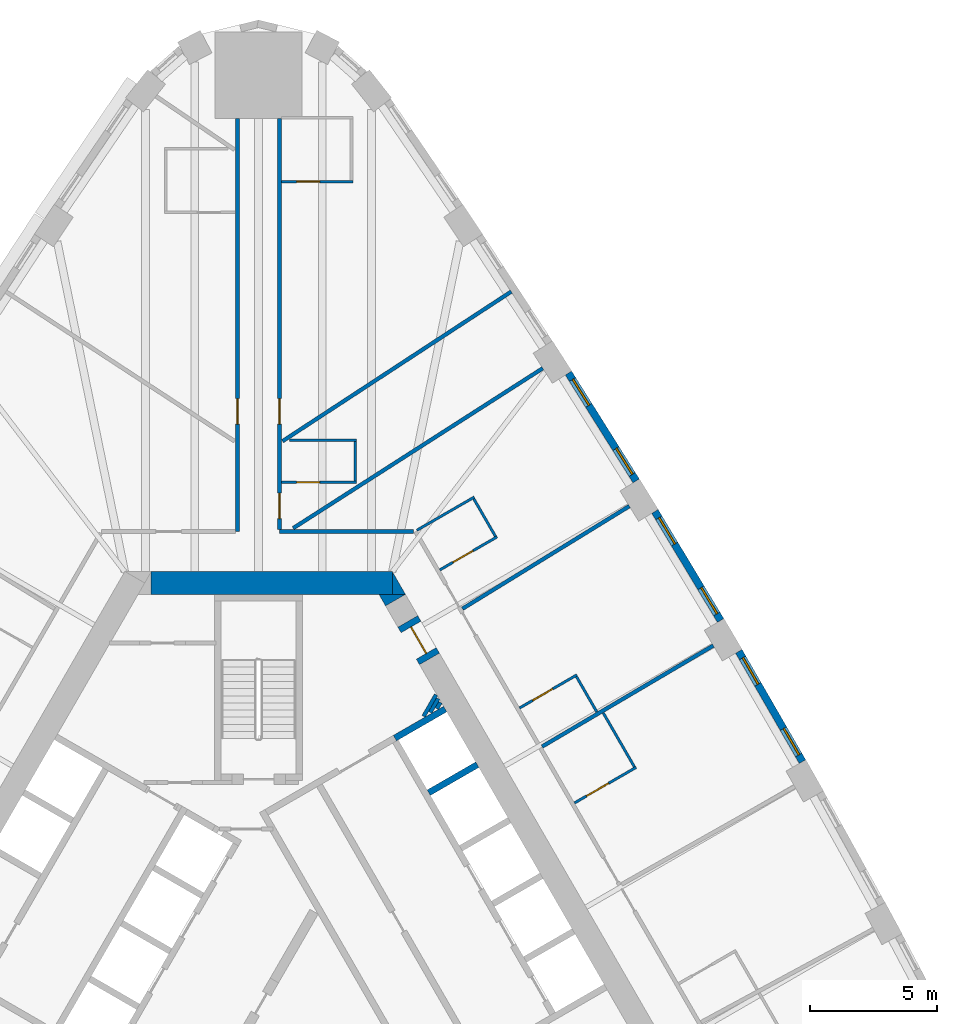
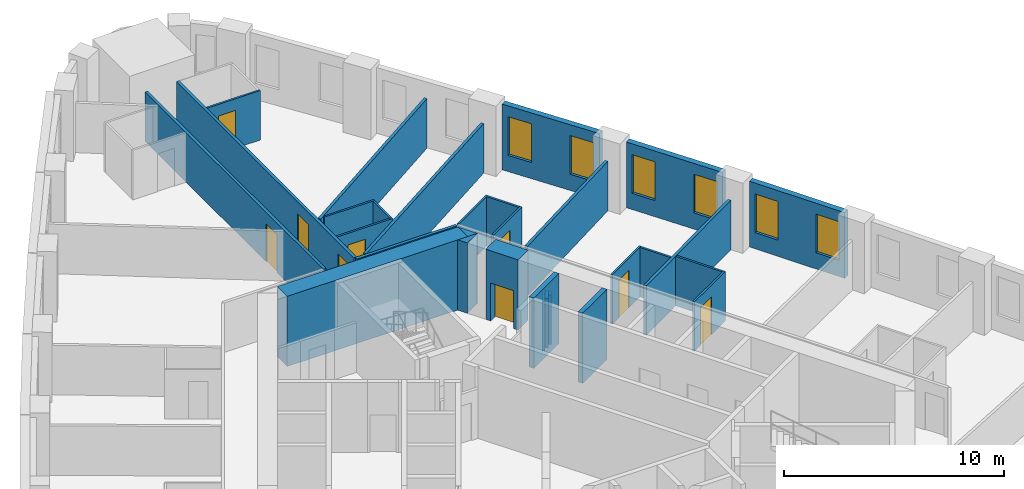
# One storey, part 10 of 12: 30 walls, 9 doors, 6 windows, 15 openings.
"""IFC4 building model written with IfcOpenShell, lengths in metres."""

from ifc_helpers import new_model, si_unit, direction, frame, frame_2d, origin, place, context, subcontext, project, spatial, polyline, rectangle, outline, extrude, material, layer, layer_set, type_object, element, fill, save


model = new_model("IFC4")

# Units and contexts
model_context = context("Model", 3, precision=1e-05, world=origin(), true_north=direction((0.0, 1.0)))
body_context = subcontext(model_context, "Body", "Model", "MODEL_VIEW")
ifc_project = project(units=[si_unit("LENGTHUNIT", "METRE"), si_unit("AREAUNIT", "SQUARE_METRE"), si_unit("VOLUMEUNIT", "CUBIC_METRE"), si_unit("PLANEANGLEUNIT", "RADIAN"), si_unit("MASSUNIT", "GRAM", prefix="KILO")], contexts=[model_context])

# Site, building, storey
site_placement = place(None, origin())
site = spatial("IfcSite", under=ifc_project, at=site_placement, CompositionType="ELEMENT")
building_placement = place(site_placement, origin())
building = spatial("IfcBuilding", under=site, at=building_placement, Name="Mestral Congress Tower", CompositionType="ELEMENT")
storey_placement = place(building_placement, frame((0.0, 0.0, 39.300048828125)))
storey = spatial("IfcBuildingStorey", under=building, at=storey_placement, Name="L08", CompositionType="ELEMENT", Elevation=39.300048828125)

# Walls
ifc_material_1 = material(Name="Fire-rated board partition")
ifc_layer_1 = layer(ifc_material_1, 0.14990234375)
ifc_layer_set_1 = layer_set([ifc_layer_1], Name="Fire-rated board partition")
wall_type_1 = type_object("IfcWallType", Name="Core partition 150", PredefinedType="PARTITIONING", material=ifc_layer_set_1)
wall_1_placement = place(storey_placement, frame((6.481689453125, 11.224609375, 0.0), z_axis=(0.0, 0.0, 1.0), x_axis=(0.5001061818, 0.865964091014, 0.0)))
element("IfcWall", 1, at=wall_1_placement, inside=storey, type_object=wall_type_1, Name="L08 core wall", PredefinedType="PARTITIONING", context=body_context, shape_type="SweptSolid", body=[
    extrude(rectangle(XDim=0.972900390625, YDim=0.14990234375, at=frame_2d((0.486328125, 0.0))), origin(), (0.0, 0.0, 1.0), 2.75),
])
wall_2_placement = place(storey_placement, frame((6.74169921875, 11.374755859375, 0.0), z_axis=(0.0, 0.0, 1.0), x_axis=(0.499744951064, 0.86617260629, 0.0)))
element("IfcWall", 2, at=wall_2_placement, inside=storey, type_object=wall_type_1, Name="L08 core wall", PredefinedType="PARTITIONING", context=body_context, shape_type="SweptSolid", body=[
    extrude(rectangle(XDim=0.626220703125, YDim=0.14990234375, at=frame_2d((0.31298828125, 0.0))), origin(), (0.0, 0.0, 1.0), 2.75),
])
wall_3_placement = place(storey_placement, frame((7.00146484375, 11.524658203125, 0.0), z_axis=(0.0, 0.0, 1.0), x_axis=(0.499797962495, 0.866142018774, 0.0)))
element("IfcWall", 3, at=wall_3_placement, inside=storey, type_object=wall_type_1, Name="L08 core wall", PredefinedType="PARTITIONING", context=body_context, shape_type="SweptSolid", body=[
    extrude(rectangle(XDim=0.27978515625, YDim=0.14990234375, at=frame_2d((0.139892578125, 0.0))), origin(), (0.0, 0.0, 1.0), 2.75),
])
ifc_material_2 = material(Name="Concrete C60/75", Category="concrete")
ifc_layer_2 = layer(ifc_material_2, 0.89990234375)
ifc_layer_set_2 = layer_set([ifc_layer_2], Name="Concrete C60/75")
wall_type_2 = type_object("IfcWallType", Name="Core wall RC 900", PredefinedType="SOLIDWALL", material=ifc_layer_set_2)
wall_4_placement = place(storey_placement, frame((-4.224365234375, 16.449951171875, 0.0), z_axis=(0.0, 0.0, 1.0), x_axis=(1.0, 0.0, 0.0)))
element("IfcWall", 4, at=wall_4_placement, inside=storey, type_object=wall_type_2, Name="L08 core wall", PredefinedType="SOLIDWALL", context=body_context, shape_type="SweptSolid", body=[
    extrude(rectangle(XDim=9.48779296875, YDim=0.89990234375, at=frame_2d((4.743896484375, 0.0))), origin(), (0.0, 0.0, 1.0), 3.89990234375),
])
placement = place(storey_placement, origin())
element("IfcWall", 5, at=placement, inside=storey, type_object=wall_type_2, Name="L08 core wall", PredefinedType="SOLIDWALL", context=body_context, shape_type="SweptSolid", body=[
    extrude(outline(polyline([(5.265380859375, 16.0), (5.265380859375, 16.8798828125), (5.7734375, 16.0), (5.265380859375, 16.0)])), origin(), (0.0, 0.0, 1.0), 3.89990234375),
])
element("IfcWall", 6, at=placement, inside=storey, type_object=wall_type_2, Name="L08 core wall", PredefinedType="SOLIDWALL", context=body_context, shape_type="SweptSolid", body=[
    extrude(outline(polyline([(4.734375, 16.0), (5.75048828125, 16.0), (4.98828125, 15.56005859375), (4.734375, 16.0)])), origin(), (0.0, 0.0, 1.0), 3.89990234375),
])

# Wall, opening, door
wall_7_placement = place(storey_placement, frame((5.86083984375, 14.948486328125, 0.0), z_axis=(0.0, 0.0, 1.0), x_axis=(0.500062241894, -0.865989465428, 0.0)))
wall_7 = element("IfcWall", 7, at=wall_7_placement, inside=storey, type_object=wall_type_2, Name="L08 door wall", PredefinedType="SOLIDWALL", context=body_context, shape_type="SweptSolid", body=[
    extrude(rectangle(XDim=1.699951171875, YDim=0.89990234375, at=frame_2d((0.85009765625, 0.0))), origin(), (0.0, 0.0, 1.0), 3.89990234375),
])
opening_1_placement = place(wall_7_placement, frame((0.25, 0.0, 0.0)))
opening_1 = element("IfcOpeningElement", 8, at=opening_1_placement, cuts=wall_7, Name="Opening XD2", PredefinedType="OPENING", context=body_context, shape_type="SweptSolid", body=[
    extrude(rectangle(XDim=1.199951171875, YDim=2.10009765625, at=frame_2d((0.60009765625, 1.050048828125))), frame((0.0, 0.4599609375, 0.0), z_axis=(0.0, -1.0, 0.0), x_axis=(1.0, 0.0, 0.0)), (0.0, 0.0, 1.0), 0.919921875),
])
ifc_material_3 = material(Name="Fire-rated steel door set", Category="steel")
door_type_1 = type_object("IfcDoorType", Name="Core door XD 1200x2100", OperationType="SINGLE_SWING_LEFT", PredefinedType="DOOR", material=ifc_material_3)
door_1_placement = place(opening_1_placement, origin())
door_1 = element("IfcDoor", 9, at=door_1_placement, inside=storey, type_object=door_type_1, Name="Door XD2", OperationType="SINGLE_SWING_LEFT", OverallHeight=2.10009765625, OverallWidth=1.199951171875, PredefinedType="DOOR", context=body_context, shape_type="SweptSolid", body=[
    extrude(rectangle(XDim=1.199951171875, YDim=2.10009765625, at=frame_2d((0.60009765625, 1.050048828125))), frame((0.0, 0.02490234375, 0.0), z_axis=(0.0, -1.0, 0.0), x_axis=(1.0, 0.0, 0.0)), (0.0, 0.0, 1.0), 0.050048828125),
])
fill(opening_1, door_1)

# Wall, openings, windows
ifc_material_4 = material(Name="Precast concrete C40/50 with limestone facing", Category="masonry")
ifc_layer_3 = layer(ifc_material_4, 0.2900390625)
ifc_layer_set_3 = layer_set([ifc_layer_3], Name="Precast concrete C40/50 with limestone facing")
wall_type_3 = type_object("IfcWallType", Name="Facade stone wall 290", PredefinedType="SOLIDWALL", material=ifc_layer_set_3)
wall_8_placement = place(storey_placement, frame((21.357177734375, 9.44482421875, 0.0), z_axis=(0.0, 0.0, 1.0), x_axis=(-0.50002123722, 0.866013142123, 0.0)))
wall_8 = element("IfcWall", 10, at=wall_8_placement, inside=storey, type_object=wall_type_3, Name="Facade wall F1-04", PredefinedType="SOLIDWALL", context=body_context, shape_type="SweptSolid", body=[
    extrude(rectangle(XDim=4.998291015625, YDim=0.2900390625, at=frame_2d((2.4990234375, 0.0))), origin(), (0.0, 0.0, 1.0), 3.64990234375),
])
opening_2_placement = place(wall_8_placement, frame((0.297119140625, 0.0, 0.89990234375)))
opening_2 = element("IfcOpeningElement", 11, at=opening_2_placement, cuts=wall_8, Name="Opening W1", PredefinedType="OPENING", context=body_context, shape_type="SweptSolid", body=[
    extrude(rectangle(XDim=1.199951171875, YDim=2.14990234375, at=frame_2d((0.60009765625, 1.074951171875))), frame((0.0, 0.155029296875, 0.0), z_axis=(0.0, -1.0, 0.0), x_axis=(1.0, 0.0, 0.0)), (0.0, 0.0, 1.0), 0.31005859375),
])
opening_3_placement = place(wall_8_placement, frame((3.501220703125, 0.0, 0.89990234375)))
opening_3 = element("IfcOpeningElement", 12, at=opening_3_placement, cuts=wall_8, Name="Opening W1", PredefinedType="OPENING", context=body_context, shape_type="SweptSolid", body=[
    extrude(rectangle(XDim=1.199951171875, YDim=2.14990234375, at=frame_2d((0.60009765625, 1.074951171875))), frame((0.0, 0.155029296875, 0.0), z_axis=(0.0, -1.0, 0.0), x_axis=(1.0, 0.0, 0.0)), (0.0, 0.0, 1.0), 0.31005859375),
])
ifc_material_5 = material(Name="Clear low-emissivity double glazing", Category="glass")
window_type = type_object("IfcWindowType", Name="Facade punched window 1200 x 2150 sill 900", PartitioningType="DOUBLE_PANEL_VERTICAL", PredefinedType="WINDOW", material=ifc_material_5)
window_1_placement = place(opening_2_placement, origin())
window_1 = element("IfcWindow", 13, at=window_1_placement, inside=storey, type_object=window_type, Name="Window F1-04a", OverallHeight=2.14990234375, OverallWidth=1.199951171875, PartitioningType="DOUBLE_PANEL_VERTICAL", PredefinedType="WINDOW", context=body_context, shape_type="SweptSolid", body=[
    extrude(rectangle(XDim=1.199951171875, YDim=2.14990234375, at=frame_2d((0.60009765625, 1.074951171875))), frame((0.0, 0.01513671875, 0.0), z_axis=(0.0, -1.0, 0.0), x_axis=(1.0, 0.0, 0.0)), (0.0, 0.0, 1.0), 0.06005859375),
])
fill(opening_2, window_1)
window_2_placement = place(opening_3_placement, origin())
window_2 = element("IfcWindow", 14, at=window_2_placement, inside=storey, type_object=window_type, Name="Window F1-04b", OverallHeight=2.14990234375, OverallWidth=1.199951171875, PartitioningType="DOUBLE_PANEL_VERTICAL", PredefinedType="WINDOW", context=body_context, shape_type="SweptSolid", body=[
    extrude(rectangle(XDim=1.199951171875, YDim=2.14990234375, at=frame_2d((0.60009765625, 1.074951171875))), frame((0.0, 0.01513671875, 0.0), z_axis=(0.0, -1.0, 0.0), x_axis=(1.0, 0.0, 0.0)), (0.0, 0.0, 1.0), 0.06005859375),
])
fill(opening_3, window_2)

wall_9_placement = place(storey_placement, frame((18.143310546875, 14.985595703125, 0.0), z_axis=(0.0, 0.0, 1.0), x_axis=(-0.515938796285, 0.856625448191, 0.0)))
wall_9 = element("IfcWall", 15, at=wall_9_placement, inside=storey, type_object=wall_type_3, Name="Facade wall F1-05", PredefinedType="SOLIDWALL", context=body_context, shape_type="SweptSolid", body=[
    extrude(rectangle(XDim=4.998291015625, YDim=0.2900390625, at=frame_2d((2.4990234375, 0.0))), origin(), (0.0, 0.0, 1.0), 3.64990234375),
])
opening_4_placement = place(wall_9_placement, frame((0.297119140625, 0.0, 0.89990234375)))
opening_4 = element("IfcOpeningElement", 16, at=opening_4_placement, cuts=wall_9, Name="Opening W1", PredefinedType="OPENING", context=body_context, shape_type="SweptSolid", body=[
    extrude(rectangle(XDim=1.199951171875, YDim=2.14990234375, at=frame_2d((0.60009765625, 1.074951171875))), frame((0.0, 0.155029296875, 0.0), z_axis=(0.0, -1.0, 0.0), x_axis=(1.0, 0.0, 0.0)), (0.0, 0.0, 1.0), 0.31005859375),
])
opening_5_placement = place(wall_9_placement, frame((3.501220703125, 0.0, 0.89990234375)))
opening_5 = element("IfcOpeningElement", 17, at=opening_5_placement, cuts=wall_9, Name="Opening W1", PredefinedType="OPENING", context=body_context, shape_type="SweptSolid", body=[
    extrude(rectangle(XDim=1.199951171875, YDim=2.14990234375, at=frame_2d((0.60009765625, 1.074951171875))), frame((0.0, 0.155029296875, 0.0), z_axis=(0.0, -1.0, 0.0), x_axis=(1.0, 0.0, 0.0)), (0.0, 0.0, 1.0), 0.31005859375),
])
window_3_placement = place(opening_4_placement, origin())
window_3 = element("IfcWindow", 18, at=window_3_placement, inside=storey, type_object=window_type, Name="Window F1-05a", OverallHeight=2.14990234375, OverallWidth=1.199951171875, PartitioningType="DOUBLE_PANEL_VERTICAL", PredefinedType="WINDOW", context=body_context, shape_type="SweptSolid", body=[
    extrude(rectangle(XDim=1.199951171875, YDim=2.14990234375, at=frame_2d((0.60009765625, 1.074951171875))), frame((0.0, 0.01513671875, 0.0), z_axis=(0.0, -1.0, 0.0), x_axis=(1.0, 0.0, 0.0)), (0.0, 0.0, 1.0), 0.06005859375),
])
fill(opening_4, window_3)
window_4_placement = place(opening_5_placement, origin())
window_4 = element("IfcWindow", 19, at=window_4_placement, inside=storey, type_object=window_type, Name="Window F1-05b", OverallHeight=2.14990234375, OverallWidth=1.199951171875, PartitioningType="DOUBLE_PANEL_VERTICAL", PredefinedType="WINDOW", context=body_context, shape_type="SweptSolid", body=[
    extrude(rectangle(XDim=1.199951171875, YDim=2.14990234375, at=frame_2d((0.60009765625, 1.074951171875))), frame((0.0, 0.01513671875, 0.0), z_axis=(0.0, -1.0, 0.0), x_axis=(1.0, 0.0, 0.0)), (0.0, 0.0, 1.0), 0.06005859375),
])
fill(opening_5, window_4)

wall_10_placement = place(storey_placement, frame((14.827392578125, 20.466064453125, 0.0), z_axis=(0.0, 0.0, 1.0), x_axis=(-0.531688286542, 0.846940119462, 0.0)))
wall_10 = element("IfcWall", 20, at=wall_10_placement, inside=storey, type_object=wall_type_3, Name="Facade wall F1-06", PredefinedType="SOLIDWALL", context=body_context, shape_type="SweptSolid", body=[
    extrude(rectangle(XDim=4.998291015625, YDim=0.2900390625, at=frame_2d((2.4990234375, 0.0))), origin(), (0.0, 0.0, 1.0), 3.64990234375),
])
opening_6_placement = place(wall_10_placement, frame((0.297119140625, 0.0, 0.89990234375)))
opening_6 = element("IfcOpeningElement", 21, at=opening_6_placement, cuts=wall_10, Name="Opening W1", PredefinedType="OPENING", context=body_context, shape_type="SweptSolid", body=[
    extrude(rectangle(XDim=1.199951171875, YDim=2.14990234375, at=frame_2d((0.60009765625, 1.074951171875))), frame((0.0, 0.155029296875, 0.0), z_axis=(0.0, -1.0, 0.0), x_axis=(1.0, 0.0, 0.0)), (0.0, 0.0, 1.0), 0.31005859375),
])
opening_7_placement = place(wall_10_placement, frame((3.501220703125, 0.0, 0.89990234375)))
opening_7 = element("IfcOpeningElement", 22, at=opening_7_placement, cuts=wall_10, Name="Opening W1", PredefinedType="OPENING", context=body_context, shape_type="SweptSolid", body=[
    extrude(rectangle(XDim=1.199951171875, YDim=2.14990234375, at=frame_2d((0.60009765625, 1.074951171875))), frame((0.0, 0.155029296875, 0.0), z_axis=(0.0, -1.0, 0.0), x_axis=(1.0, 0.0, 0.0)), (0.0, 0.0, 1.0), 0.31005859375),
])
window_5_placement = place(opening_6_placement, origin())
window_5 = element("IfcWindow", 23, at=window_5_placement, inside=storey, type_object=window_type, Name="Window F1-06a", OverallHeight=2.14990234375, OverallWidth=1.199951171875, PartitioningType="DOUBLE_PANEL_VERTICAL", PredefinedType="WINDOW", context=body_context, shape_type="SweptSolid", body=[
    extrude(rectangle(XDim=1.199951171875, YDim=2.14990234375, at=frame_2d((0.60009765625, 1.074951171875))), frame((0.0, 0.01513671875, 0.0), z_axis=(0.0, -1.0, 0.0), x_axis=(1.0, 0.0, 0.0)), (0.0, 0.0, 1.0), 0.06005859375),
])
fill(opening_6, window_5)
window_6_placement = place(opening_7_placement, origin())
window_6 = element("IfcWindow", 24, at=window_6_placement, inside=storey, type_object=window_type, Name="Window F1-06b", OverallHeight=2.14990234375, OverallWidth=1.199951171875, PartitioningType="DOUBLE_PANEL_VERTICAL", PredefinedType="WINDOW", context=body_context, shape_type="SweptSolid", body=[
    extrude(rectangle(XDim=1.199951171875, YDim=2.14990234375, at=frame_2d((0.60009765625, 1.074951171875))), frame((0.0, 0.01513671875, 0.0), z_axis=(0.0, -1.0, 0.0), x_axis=(1.0, 0.0, 0.0)), (0.0, 0.0, 1.0), 0.06005859375),
])
fill(opening_7, window_6)

# Wall, opening, door
ifc_material_6 = material(Name="Gypsum board partition on metal studs with mineral wool", Category="composite")
ifc_layer_4 = layer(ifc_material_6, 0.10009765625)
ifc_layer_set_4 = layer_set([ifc_layer_4], Name="Gypsum board partition on metal studs with mineral wool")
wall_type_4 = type_object("IfcWallType", Name="Hotel partition wall 100", PredefinedType="PARTITIONING", material=ifc_layer_set_4)
wall_11_placement = place(storey_placement, frame((12.402099609375, 7.819091796875, 0.0), z_axis=(0.0, 0.0, 1.0), x_axis=(0.866034573852, 0.49998411664, 0.0)))
wall_11 = element("IfcWall", 25, at=wall_11_placement, inside=storey, type_object=wall_type_4, Name="L08-h-pod14a", PredefinedType="PARTITIONING", context=body_context, shape_type="SweptSolid", body=[
    extrude(rectangle(XDim=2.7998046875, YDim=0.10009765625, at=frame_2d((1.39990234375, 0.0))), origin(), (0.0, 0.0, 1.0), 2.75),
])
opening_8_placement = place(wall_11_placement, frame((0.550048828125, 0.0, 0.0)))
opening_8 = element("IfcOpeningElement", 26, at=opening_8_placement, cuts=wall_11, Name="Opening H02-021", PredefinedType="OPENING", context=body_context, shape_type="SweptSolid", body=[
    extrude(rectangle(XDim=1.0, YDim=2.10009765625, at=frame_2d((0.5, 1.050048828125))), frame((0.0, 0.06005859375, 0.0), z_axis=(0.0, -1.0, 0.0), x_axis=(1.0, 0.0, 0.0)), (0.0, 0.0, 1.0), 0.1201171875),
])
ifc_material_7 = material(Name="Timber veneer door leaf in timber frame", Category="wood")
door_type_2 = type_object("IfcDoorType", Name="Accessible bathroom door 1000", OperationType="SINGLE_SWING_LEFT", PredefinedType="DOOR", material=ifc_material_7)
door_2_placement = place(opening_8_placement, origin())
door_2 = element("IfcDoor", 27, at=door_2_placement, inside=storey, type_object=door_type_2, Name="L08-h-d021", OperationType="SINGLE_SWING_LEFT", OverallHeight=2.10009765625, OverallWidth=1.0, PredefinedType="DOOR", context=body_context, shape_type="SweptSolid", body=[
    extrude(rectangle(XDim=1.0, YDim=2.10009765625, at=frame_2d((0.5, 1.050048828125))), frame((0.0, 0.02490234375, 0.0), z_axis=(0.0, -1.0, 0.0), x_axis=(1.0, 0.0, 0.0)), (0.0, 0.0, 1.0), 0.050048828125),
])
fill(opening_8, door_2)

# Wall
wall_12_placement = place(storey_placement, frame((14.758544921875, 9.2373046875, 0.0), z_axis=(0.0, 0.0, 1.0), x_axis=(-0.499943856944, 0.866057815567, 0.0)))
element("IfcWall", 28, at=wall_12_placement, inside=storey, type_object=wall_type_4, Name="L08-h-pod14b", PredefinedType="PARTITIONING", context=body_context, shape_type="SweptSolid", body=[
    extrude(rectangle(XDim=2.449951171875, YDim=0.10009765625, at=frame_2d((1.22509765625, 0.0))), origin(), (0.0, 0.0, 1.0), 2.75),
])

# Wall, opening, door
wall_13_placement = place(storey_placement, frame((12.500244140625, 12.84912109375, 0.0), z_axis=(0.0, 0.0, 1.0), x_axis=(-0.866021400173, -0.500006934395, 0.0)))
wall_13 = element("IfcWall", 29, at=wall_13_placement, inside=storey, type_object=wall_type_4, Name="L08-h-pod15a", PredefinedType="PARTITIONING", context=body_context, shape_type="SweptSolid", body=[
    extrude(rectangle(XDim=2.60009765625, YDim=0.10009765625, at=frame_2d((1.300048828125, 0.0))), origin(), (0.0, 0.0, 1.0), 2.75),
])
opening_9_placement = place(wall_13_placement, frame((1.10009765625, 0.0, 0.0)))
opening_9 = element("IfcOpeningElement", 30, at=opening_9_placement, cuts=wall_13, Name="Opening H02-023", PredefinedType="OPENING", context=body_context, shape_type="SweptSolid", body=[
    extrude(rectangle(XDim=0.89990234375, YDim=2.10009765625, at=frame_2d((0.449951171875, 1.050048828125))), frame((0.0, 0.06005859375, 0.0), z_axis=(0.0, -1.0, 0.0), x_axis=(1.0, 0.0, 0.0)), (0.0, 0.0, 1.0), 0.1201171875),
])
door_type_3 = type_object("IfcDoorType", Name="Bathroom door 900", OperationType="SINGLE_SWING_LEFT", PredefinedType="DOOR", material=ifc_material_7)
door_3_placement = place(opening_9_placement, origin())
door_3 = element("IfcDoor", 31, at=door_3_placement, inside=storey, type_object=door_type_3, Name="L08-h-d023", OperationType="SINGLE_SWING_RIGHT", OverallHeight=2.10009765625, OverallWidth=0.89990234375, PredefinedType="DOOR", context=body_context, shape_type="SweptSolid", body=[
    extrude(rectangle(XDim=0.89990234375, YDim=2.10009765625, at=frame_2d((0.449951171875, 1.050048828125))), frame((0.0, 0.02490234375, 0.0), z_axis=(0.0, -1.0, 0.0), x_axis=(1.0, 0.0, 0.0)), (0.0, 0.0, 1.0), 0.050048828125),
])
fill(opening_9, door_3)

# Wall
wall_14_placement = place(storey_placement, frame((12.48193359375, 12.78076171875, 0.0), z_axis=(0.0, 0.0, 1.0), x_axis=(0.500061482766, -0.865989903783, 0.0)))
element("IfcWall", 32, at=wall_14_placement, inside=storey, type_object=wall_type_4, Name="L08-h-pod15b", PredefinedType="PARTITIONING", context=body_context, shape_type="SweptSolid", body=[
    extrude(rectangle(XDim=1.599853515625, YDim=0.10009765625, at=frame_2d((0.7998046875, 0.0))), origin(), (0.0, 0.0, 1.0), 2.75),
])

# Wall, opening, door
wall_15_placement = place(storey_placement, frame((7.1181640625, 16.970947265625, 0.0), z_axis=(0.0, 0.0, 1.0), x_axis=(0.866021400173, 0.500006934395, 0.0)))
wall_15 = element("IfcWall", 33, at=wall_15_placement, inside=storey, type_object=wall_type_4, Name="L08-h-pod16a", PredefinedType="PARTITIONING", context=body_context, shape_type="SweptSolid", body=[
    extrude(rectangle(XDim=2.60009765625, YDim=0.10009765625, at=frame_2d((1.300048828125, 0.0))), origin(), (0.0, 0.0, 1.0), 2.75),
])
opening_10_placement = place(wall_15_placement, frame((0.60009765625, 0.0, 0.0)))
opening_10 = element("IfcOpeningElement", 34, at=opening_10_placement, cuts=wall_15, Name="Opening H02-025", PredefinedType="OPENING", context=body_context, shape_type="SweptSolid", body=[
    extrude(rectangle(XDim=0.89990234375, YDim=2.10009765625, at=frame_2d((0.449951171875, 1.050048828125))), frame((0.0, 0.06005859375, 0.0), z_axis=(0.0, -1.0, 0.0), x_axis=(1.0, 0.0, 0.0)), (0.0, 0.0, 1.0), 0.1201171875),
])
door_4_placement = place(opening_10_placement, origin())
door_4 = element("IfcDoor", 35, at=door_4_placement, inside=storey, type_object=door_type_3, Name="L08-h-d025", OperationType="SINGLE_SWING_LEFT", OverallHeight=2.10009765625, OverallWidth=0.89990234375, PredefinedType="DOOR", context=body_context, shape_type="SweptSolid", body=[
    extrude(rectangle(XDim=0.89990234375, YDim=2.10009765625, at=frame_2d((0.449951171875, 1.050048828125))), frame((0.0, 0.02490234375, 0.0), z_axis=(0.0, -1.0, 0.0), x_axis=(1.0, 0.0, 0.0)), (0.0, 0.0, 1.0), 0.050048828125),
])
fill(opening_10, door_4)

# Walls
wall_16_placement = place(storey_placement, frame((9.301513671875, 18.289306640625, 0.0), z_axis=(0.0, 0.0, 1.0), x_axis=(-0.500062241894, 0.865989465428, 0.0)))
element("IfcWall", 36, at=wall_16_placement, inside=storey, type_object=wall_type_4, Name="L08-h-pod16b", PredefinedType="PARTITIONING", context=body_context, shape_type="SweptSolid", body=[
    extrude(rectangle(XDim=1.699951171875, YDim=0.10009765625, at=frame_2d((0.85009765625, 0.0))), origin(), (0.0, 0.0, 1.0), 2.75),
])
wall_17_placement = place(storey_placement, frame((6.21826171875, 18.52978515625, 0.0), z_axis=(0.0, 0.0, 1.0), x_axis=(0.865997922154, 0.500047596559, 0.0)))
element("IfcWall", 37, at=wall_17_placement, inside=storey, type_object=wall_type_4, Name="L08-h-pod16c", PredefinedType="PARTITIONING", context=body_context, shape_type="SweptSolid", body=[
    extrude(rectangle(XDim=2.599853515625, YDim=0.10009765625, at=frame_2d((1.2998046875, 0.0))), origin(), (0.0, 0.0, 1.0), 2.75),
])

# Wall, opening, door
wall_18_placement = place(storey_placement, frame((0.89990234375, 20.41552734375, 0.0), z_axis=(0.0, 0.0, 1.0), x_axis=(1.0, 0.0, 0.0)))
wall_18 = element("IfcWall", 38, at=wall_18_placement, inside=storey, type_object=wall_type_4, Name="L08-h-pod17a", PredefinedType="PARTITIONING", context=body_context, shape_type="SweptSolid", body=[
    extrude(rectangle(XDim=2.9501953125, YDim=0.10009765625, at=frame_2d((1.47509765625, 0.0))), origin(), (0.0, 0.0, 1.0), 2.75),
])
opening_11_placement = place(wall_18_placement, frame((0.60009765625, 0.0, 0.0)))
opening_11 = element("IfcOpeningElement", 39, at=opening_11_placement, cuts=wall_18, Name="Opening H02-027", PredefinedType="OPENING", context=body_context, shape_type="SweptSolid", body=[
    extrude(rectangle(XDim=0.89990234375, YDim=2.10009765625, at=frame_2d((0.449951171875, 1.050048828125))), frame((0.0, 0.06005859375, 0.0), z_axis=(0.0, -1.0, 0.0), x_axis=(1.0, 0.0, 0.0)), (0.0, 0.0, 1.0), 0.1201171875),
])
door_5_placement = place(opening_11_placement, origin())
door_5 = element("IfcDoor", 40, at=door_5_placement, inside=storey, type_object=door_type_3, Name="L08-h-d027", OperationType="SINGLE_SWING_LEFT", OverallHeight=2.10009765625, OverallWidth=0.89990234375, PredefinedType="DOOR", context=body_context, shape_type="SweptSolid", body=[
    extrude(rectangle(XDim=0.89990234375, YDim=2.10009765625, at=frame_2d((0.449951171875, 1.050048828125))), frame((0.0, 0.02490234375, 0.0), z_axis=(0.0, -1.0, 0.0), x_axis=(1.0, 0.0, 0.0)), (0.0, 0.0, 1.0), 0.050048828125),
])
fill(opening_11, door_5)

# Walls
wall_19_placement = place(storey_placement, frame((3.800048828125, 20.465576171875, 0.0), z_axis=(0.0, 0.0, 1.0), x_axis=(0.0, 1.0, 0.0)))
element("IfcWall", 41, at=wall_19_placement, inside=storey, type_object=wall_type_4, Name="L08-h-pod17b", PredefinedType="PARTITIONING", context=body_context, shape_type="SweptSolid", body=[
    extrude(rectangle(XDim=1.550048828125, YDim=0.10009765625, at=frame_2d((0.77490234375, 0.0))), origin(), (0.0, 0.0, 1.0), 2.75),
])
wall_20_placement = place(storey_placement, frame((1.2099609375, 22.065673828125, 0.0), z_axis=(0.0, 0.0, 1.0), x_axis=(1.0, 0.0, 0.0)))
element("IfcWall", 42, at=wall_20_placement, inside=storey, type_object=wall_type_4, Name="L08-h-pod17c", PredefinedType="PARTITIONING", context=body_context, shape_type="SweptSolid", body=[
    extrude(rectangle(XDim=2.64013671875, YDim=0.10009765625, at=frame_2d((1.320068359375, 0.0))), origin(), (0.0, 0.0, 1.0), 2.75),
])

# Wall, opening, door
wall_21_placement = place(storey_placement, frame((0.89990234375, 32.218994140625, 0.0), z_axis=(0.0, 0.0, 1.0), x_axis=(1.0, 0.0, 0.0)))
wall_21 = element("IfcWall", 43, at=wall_21_placement, inside=storey, type_object=wall_type_4, Name="L08-h-pod18a", PredefinedType="PARTITIONING", context=body_context, shape_type="SweptSolid", body=[
    extrude(rectangle(XDim=2.800048828125, YDim=0.10009765625, at=frame_2d((1.39990234375, 0.0))), origin(), (0.0, 0.0, 1.0), 2.75),
])
opening_12_placement = place(wall_21_placement, frame((0.60009765625, 0.0, 0.0)))
opening_12 = element("IfcOpeningElement", 44, at=opening_12_placement, cuts=wall_21, Name="Opening H02-029", PredefinedType="OPENING", context=body_context, shape_type="SweptSolid", body=[
    extrude(rectangle(XDim=0.89990234375, YDim=2.10009765625, at=frame_2d((0.449951171875, 1.050048828125))), frame((0.0, 0.06005859375, 0.0), z_axis=(0.0, -1.0, 0.0), x_axis=(1.0, 0.0, 0.0)), (0.0, 0.0, 1.0), 0.1201171875),
])
door_6_placement = place(opening_12_placement, origin())
door_6 = element("IfcDoor", 45, at=door_6_placement, inside=storey, type_object=door_type_3, Name="L08-h-d029", OperationType="SINGLE_SWING_RIGHT", OverallHeight=2.10009765625, OverallWidth=0.89990234375, PredefinedType="DOOR", context=body_context, shape_type="SweptSolid", body=[
    extrude(rectangle(XDim=0.89990234375, YDim=2.10009765625, at=frame_2d((0.449951171875, 1.050048828125))), frame((0.0, 0.02490234375, 0.0), z_axis=(0.0, -1.0, 0.0), x_axis=(1.0, 0.0, 0.0)), (0.0, 0.0, 1.0), 0.050048828125),
])
fill(opening_12, door_6)

# Wall
ifc_layer_5 = layer(ifc_material_6, 0.14990234375)
ifc_layer_set_5 = layer_set([ifc_layer_5], Name="Gypsum board partition on metal studs with mineral wool")
wall_type_5 = type_object("IfcWallType", Name="Hotel partition wall 150", PredefinedType="PARTITIONING", material=ifc_layer_set_5)
wall_22_placement = place(storey_placement, frame((0.824951171875, 18.47509765625, 0.0), z_axis=(0.0, 0.0, 1.0), x_axis=(1.0, 0.0, 0.0)))
element("IfcWall", 46, at=wall_22_placement, inside=storey, type_object=wall_type_5, Name="L08-h-cw04", PredefinedType="PARTITIONING", context=body_context, shape_type="SweptSolid", body=[
    extrude(rectangle(XDim=5.268310546875, YDim=0.14990234375, at=frame_2d((2.63427734375, 0.0))), origin(), (0.0, 0.0, 1.0), 2.75),
])

# Wall, openings, doors
wall_23_placement = place(storey_placement, frame((0.824951171875, 34.698974609375, 0.0), z_axis=(0.0, 0.0, 1.0), x_axis=(0.0, -1.0, 0.0)))
wall_23 = element("IfcWall", 47, at=wall_23_placement, inside=storey, type_object=wall_type_5, Name="L08-h-cw05", PredefinedType="PARTITIONING", context=body_context, shape_type="SweptSolid", body=[
    extrude(rectangle(XDim=16.14404296875, YDim=0.14990234375, at=frame_2d((8.072021484375, 0.0))), origin(), (0.0, 0.0, 1.0), 2.75),
])
opening_13_placement = place(wall_23_placement, frame((14.7138671875, 0.0, 0.0)))
opening_13 = element("IfcOpeningElement", 48, at=opening_13_placement, cuts=wall_23, Name="Opening H02-026", PredefinedType="OPENING", context=body_context, shape_type="SweptSolid", body=[
    extrude(rectangle(XDim=1.0, YDim=2.10009765625, at=frame_2d((0.5, 1.050048828125))), frame((0.0, 0.0849609375, 0.0), z_axis=(0.0, -1.0, 0.0), x_axis=(1.0, 0.0, 0.0)), (0.0, 0.0, 1.0), 0.169921875),
])
opening_14_placement = place(wall_23_placement, frame((11.004638671875, 0.0, 0.0)))
opening_14 = element("IfcOpeningElement", 49, at=opening_14_placement, cuts=wall_23, Name="Opening H02-028", PredefinedType="OPENING", context=body_context, shape_type="SweptSolid", body=[
    extrude(rectangle(XDim=1.0, YDim=2.10009765625, at=frame_2d((0.5, 1.050048828125))), frame((0.0, 0.0849609375, 0.0), z_axis=(0.0, -1.0, 0.0), x_axis=(1.0, 0.0, 0.0)), (0.0, 0.0, 1.0), 0.169921875),
])
ifc_material_8 = material(Name="Timber veneer door leaf in metal frame", Category="wood")
door_type_4 = type_object("IfcDoorType", Name="Guest room entrance door 1000", OperationType="SINGLE_SWING_LEFT", PredefinedType="DOOR", material=ifc_material_8)
door_7_placement = place(opening_13_placement, origin())
door_7 = element("IfcDoor", 50, at=door_7_placement, inside=storey, type_object=door_type_4, Name="L08-h-d026", OperationType="SINGLE_SWING_RIGHT", OverallHeight=2.10009765625, OverallWidth=1.0, PredefinedType="DOOR", context=body_context, shape_type="SweptSolid", body=[
    extrude(rectangle(XDim=1.0, YDim=2.10009765625, at=frame_2d((0.5, 1.050048828125))), frame((0.0, 0.02490234375, 0.0), z_axis=(0.0, -1.0, 0.0), x_axis=(1.0, 0.0, 0.0)), (0.0, 0.0, 1.0), 0.050048828125),
])
fill(opening_13, door_7)
door_8_placement = place(opening_14_placement, origin())
door_8 = element("IfcDoor", 51, at=door_8_placement, inside=storey, type_object=door_type_4, Name="L08-h-d028", OperationType="SINGLE_SWING_RIGHT", OverallHeight=2.10009765625, OverallWidth=1.0, PredefinedType="DOOR", context=body_context, shape_type="SweptSolid", body=[
    extrude(rectangle(XDim=1.0, YDim=2.10009765625, at=frame_2d((0.5, 1.050048828125))), frame((0.0, 0.02490234375, 0.0), z_axis=(0.0, -1.0, 0.0), x_axis=(1.0, 0.0, 0.0)), (0.0, 0.0, 1.0), 0.050048828125),
])
fill(opening_14, door_8)

# Wall, opening, door
wall_24_placement = place(storey_placement, frame((-0.824951171875, 18.47509765625, 0.0), z_axis=(0.0, 0.0, 1.0), x_axis=(0.0, 1.0, 0.0)))
wall_24 = element("IfcWall", 52, at=wall_24_placement, inside=storey, type_object=wall_type_5, Name="L08-h-cw06", PredefinedType="PARTITIONING", context=body_context, shape_type="SweptSolid", body=[
    extrude(rectangle(XDim=16.223876953125, YDim=0.14990234375, at=frame_2d((8.11181640625, 0.0))), origin(), (0.0, 0.0, 1.0), 2.75),
])
opening_15_placement = place(wall_24_placement, frame((4.219970703125, 0.0, 0.0)))
opening_15 = element("IfcOpeningElement", 53, at=opening_15_placement, cuts=wall_24, Name="Opening H02-030", PredefinedType="OPENING", context=body_context, shape_type="SweptSolid", body=[
    extrude(rectangle(XDim=1.0, YDim=2.10009765625, at=frame_2d((0.5, 1.050048828125))), frame((0.0, 0.0849609375, 0.0), z_axis=(0.0, -1.0, 0.0), x_axis=(1.0, 0.0, 0.0)), (0.0, 0.0, 1.0), 0.169921875),
])
door_9_placement = place(opening_15_placement, origin())
door_9 = element("IfcDoor", 54, at=door_9_placement, inside=storey, type_object=door_type_4, Name="L08-h-d030", OperationType="SINGLE_SWING_LEFT", OverallHeight=2.10009765625, OverallWidth=1.0, PredefinedType="DOOR", context=body_context, shape_type="SweptSolid", body=[
    extrude(rectangle(XDim=1.0, YDim=2.10009765625, at=frame_2d((0.5, 1.050048828125))), frame((0.0, 0.02490234375, 0.0), z_axis=(0.0, -1.0, 0.0), x_axis=(1.0, 0.0, 0.0)), (0.0, 0.0, 1.0), 0.050048828125),
])
fill(opening_15, door_9)

# Walls
wall_25_placement = place(storey_placement, frame((9.921630859375, 27.896484375, 0.0), z_axis=(0.0, 0.0, 1.0), x_axis=(-0.836970816595, -0.547247523675, 0.0)))
element("IfcWall", 55, at=wall_25_placement, inside=storey, type_object=wall_type_5, Name="L08-h-pw15", PredefinedType="PARTITIONING", context=body_context, shape_type="SweptSolid", body=[
    extrude(rectangle(XDim=10.728759765625, YDim=0.14990234375, at=frame_2d((5.3642578125, 0.0))), origin(), (0.0, 0.0, 1.0), 2.75),
])
wall_26_placement = place(storey_placement, frame((11.16015625, 24.887939453125, 0.0), z_axis=(0.0, 0.0, 1.0), x_axis=(-0.84199813156, -0.539480441211, 0.0)))
element("IfcWall", 56, at=wall_26_placement, inside=storey, type_object=wall_type_5, Name="L08-h-pw16", PredefinedType="PARTITIONING", context=body_context, shape_type="SweptSolid", body=[
    extrude(rectangle(XDim=11.63818359375, YDim=0.14990234375, at=frame_2d((5.819091796875, 0.0))), origin(), (0.0, 0.0, 1.0), 2.75),
])
wall_27_placement = place(storey_placement, frame((14.55810546875, 19.474609375, 0.0), z_axis=(0.0, 0.0, 1.0), x_axis=(-0.851829455142, -0.523819223925, 0.0)))
element("IfcWall", 57, at=wall_27_placement, inside=storey, type_object=wall_type_5, Name="L08-h-pw18", PredefinedType="PARTITIONING", context=body_context, shape_type="SweptSolid", body=[
    extrude(rectangle(XDim=7.68798828125, YDim=0.14990234375, at=frame_2d((3.843994140625, 0.0))), origin(), (0.0, 0.0, 1.0), 2.75),
])
wall_28_placement = place(storey_placement, frame((17.85595703125, 13.999267578125, 0.0), z_axis=(0.0, 0.0, 1.0), x_axis=(-0.861371519381, -0.507975497047, 0.0)))
element("IfcWall", 58, at=wall_28_placement, inside=storey, type_object=wall_type_5, Name="L08-h-pw19", PredefinedType="PARTITIONING", context=body_context, shape_type="SweptSolid", body=[
    extrude(rectangle(XDim=7.8037109375, YDim=0.14990234375, at=frame_2d((3.90185546875, 0.0))), origin(), (0.0, 0.0, 1.0), 2.75),
])
ifc_layer_6 = layer(ifc_material_2, 0.25)
ifc_layer_set_6 = layer_set([ifc_layer_6], Name="Concrete C60/75")
wall_type_6 = type_object("IfcWallType", Name="Shaft wall RC 250", PredefinedType="SOLIDWALL", material=ifc_layer_set_6)
wall_29_placement = place(storey_placement, frame((5.356201171875, 10.366943359375, 0.0), z_axis=(0.0, 0.0, 1.0), x_axis=(0.865978535641, 0.50008116922, 0.0)))
element("IfcWall", 59, at=wall_29_placement, inside=storey, type_object=wall_type_6, Name="L08 core wall", PredefinedType="SOLIDWALL", context=body_context, shape_type="SweptSolid", body=[
    extrude(rectangle(XDim=2.27783203125, YDim=0.25, at=frame_2d((1.138916015625, 0.0))), origin(), (0.0, 0.0, 1.0), 3.89990234375),
])
wall_30_placement = place(storey_placement, frame((6.68359375, 8.2236328125, 0.0), z_axis=(0.0, 0.0, 1.0), x_axis=(0.86605622881, 0.499946605688, 0.0)))
element("IfcWall", 60, at=wall_30_placement, inside=storey, type_object=wall_type_6, Name="L08 core wall", PredefinedType="SOLIDWALL", context=body_context, shape_type="SweptSolid", body=[
    extrude(rectangle(XDim=2.199951171875, YDim=0.25, at=frame_2d((1.10009765625, 0.0))), origin(), (0.0, 0.0, 1.0), 3.89990234375),
])

save(model, "model.ifc")
